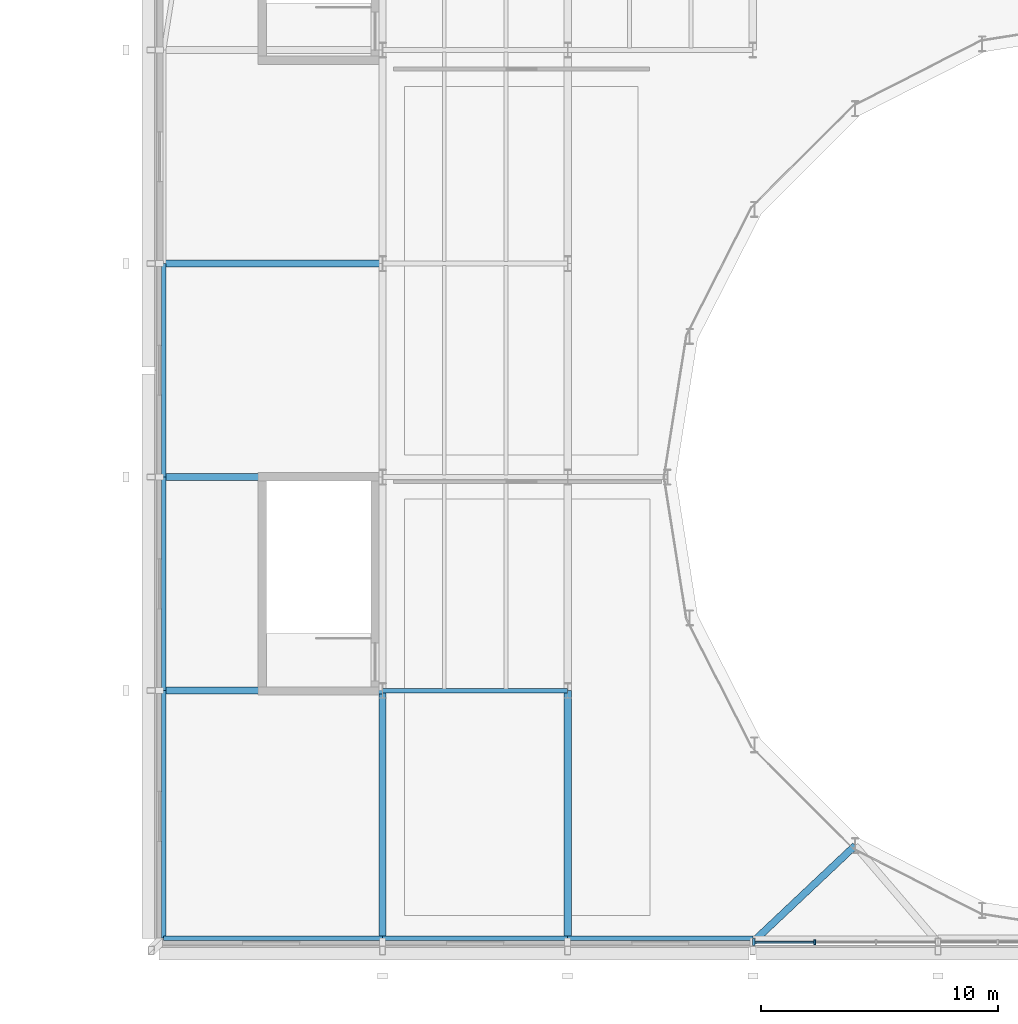
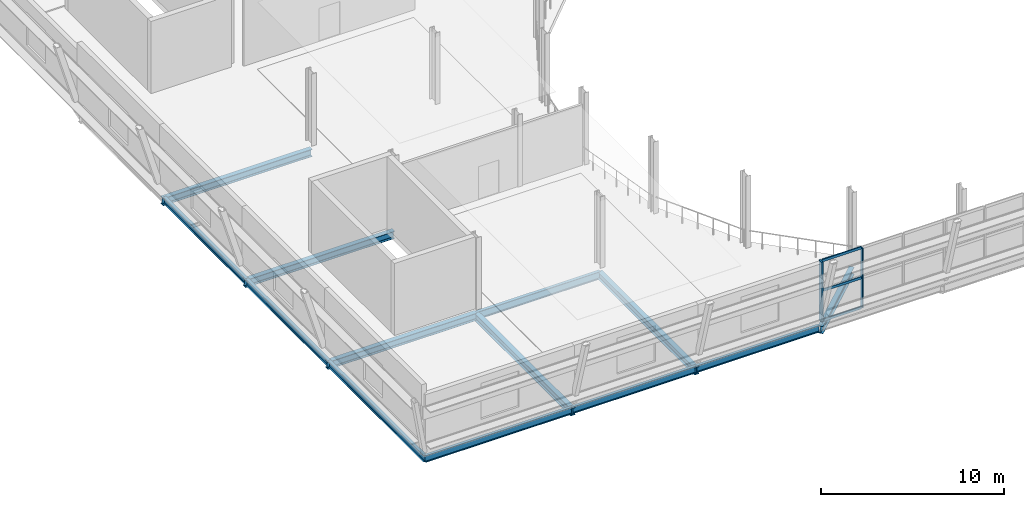
# One storey, part 15 of 63: 13 beams, 5 members, 1 element without a shape of its own.
"""IFC4 building model written with IfcOpenShell, lengths in metres."""

import ifcopenshell
import ifcopenshell.guid

model = None  # the IFC model being written
_history = None  # IfcOwnerHistory: only IFC2X3 demands one
_inside = {}  # id of a spatial element -> (the spatial element, [elements in it])
_under = {}  # id of a project, library or spatial element -> (it, [spatial elements below it])
_declared = {}  # id of a project -> (the project, [libraries it declares])
_typed = {}  # id of a type object -> (the type object, [elements of that type])
_made_of = {}  # id of a material, layer set ... -> (it, [elements and type objects made of it])


def new_model(schema):
    """Start an empty IFC model of exactly this schema.

    Asked for "IFC4X3", IfcOpenShell would pick the latest addendum, in which some entities
    have other attributes; the version numbers below select the first issue.
    IFC2X3 requires an IfcOwnerHistory on every rooted entity: one is made here for all.
    """
    global model, _history
    if schema == "IFC4X3":
        model = ifcopenshell.file(schema_version=(4, 3, 0, 0))
    else:
        model = ifcopenshell.file(schema=schema)
    _inside.clear()
    _under.clear()
    _declared.clear()
    _typed.clear()
    _made_of.clear()
    _history = None
    if model.schema == "IFC2X3":
        org = make("IfcOrganization", Name="unknown")
        user = make(
            "IfcPersonAndOrganization",
            ThePerson=make("IfcPerson", FamilyName="unknown"),
            TheOrganization=org,
        )
        app = make(
            "IfcApplication",
            ApplicationDeveloper=org,
            Version="unknown",
            ApplicationFullName="unknown",
            ApplicationIdentifier="unknown",
        )
        _history = make(
            "IfcOwnerHistory",
            OwningUser=user,
            OwningApplication=app,
            ChangeAction="ADDED",
            CreationDate=0,
        )
    return model


def make(cls, **values):
    """One entity of the class cls with the attributes given. An attribute that is None is left unset."""
    return model.create_entity(
        cls, **{name: value for name, value in values.items() if value is not None}
    )


def rooted(cls, **values):
    """An entity with a GlobalId (a new one), such as an element, a storey or a relation."""
    return make(cls, GlobalId=ifcopenshell.guid.new(), OwnerHistory=_history, **values)


def si_unit(unit_type, name, prefix=None):
    """IfcSIUnit, for example si_unit("LENGTHUNIT", "METRE", prefix="MILLI")."""
    return make("IfcSIUnit", UnitType=unit_type, Prefix=prefix, Name=name)


def assignment(units):
    """IfcUnitAssignment: the units of a project."""
    return None if units is None else make("IfcUnitAssignment", Units=units)


def point(xyz):
    """IfcCartesianPoint."""
    return None if xyz is None else make("IfcCartesianPoint", Coordinates=xyz)


def direction(xyz):
    """IfcDirection."""
    return None if xyz is None else make("IfcDirection", DirectionRatios=xyz)


def frame(location, z_axis=None, x_axis=None):
    """IfcAxis2Placement3D, a coordinate frame: its origin and axes. An axis left out is left unset."""
    return make(
        "IfcAxis2Placement3D",
        Location=point(location),
        Axis=direction(z_axis),
        RefDirection=direction(x_axis),
    )


def frame_2d(location, x_axis=None):
    """IfcAxis2Placement2D, a coordinate frame in the plane: its origin and x axis."""
    return make(
        "IfcAxis2Placement2D", Location=point(location), RefDirection=direction(x_axis)
    )


def origin():
    """The frame at (0, 0, 0) with its axes left unset."""
    return frame((0.0, 0.0, 0.0))


def origin_2d():
    """The frame at (0, 0) in the plane with its x axis left unset."""
    return frame_2d((0.0, 0.0))


def place(relative_to, where):
    """IfcLocalPlacement: puts the frame where relative to a parent placement (None: the world)."""
    return make(
        "IfcLocalPlacement", PlacementRelTo=relative_to, RelativePlacement=where
    )


def context(
    kind, dimensions, precision=None, world=None, true_north=None, identifier=None
):
    """IfcGeometricRepresentationContext, for example the 3D "Model" context."""
    return make(
        "IfcGeometricRepresentationContext",
        ContextIdentifier=identifier,
        ContextType=kind,
        CoordinateSpaceDimension=dimensions,
        Precision=precision,
        WorldCoordinateSystem=world,
        TrueNorth=true_north,
    )


def subcontext(parent, identifier, kind, view, scale=None):
    """IfcGeometricRepresentationSubContext, for example "Body" below "Model"."""
    return make(
        "IfcGeometricRepresentationSubContext",
        ContextIdentifier=identifier,
        ContextType=kind,
        ParentContext=parent,
        TargetScale=scale,
        TargetView=view,
    )


def project(units=None, contexts=None):
    """IfcProject with its units and contexts."""
    return rooted(
        "IfcProject",
        Name="project",
        RepresentationContexts=contexts,
        UnitsInContext=assignment(units),
    )


def spatial(cls, under=None, at=None, **own):
    """A site, building, storey or space (cls), placed at a placement, below another one or the project."""
    s = rooted(cls, ObjectPlacement=at, **own)
    if under is not None:
        _under.setdefault(under.id(), (under, []))[1].append(s)
    return s


def profile(cls, at=None, kind="AREA", **sizes):
    """A parametric profile (cls). Its sizes go by their IFC names, for example OverallWidth=200.0."""
    return make(cls, ProfileType=kind, Position=at, **sizes)


def rectangle(**sizes):
    """IfcRectangleProfileDef."""
    return profile("IfcRectangleProfileDef", **sizes)


def i_section(**sizes):
    """IfcIShapeProfileDef."""
    return profile("IfcIShapeProfileDef", **sizes)


def extrude(swept, where, along, depth):
    """IfcExtrudedAreaSolid: the profile swept, set in the frame where, extruded along a direction by depth."""
    return make(
        "IfcExtrudedAreaSolid",
        SweptArea=swept,
        Position=where,
        ExtrudedDirection=direction(along),
        Depth=depth,
    )


def shape(context_of_items, identifier, shape_type, items):
    """IfcShapeRepresentation: the items that make up one representation, for example the "Body"."""
    return make(
        "IfcShapeRepresentation",
        ContextOfItems=context_of_items,
        RepresentationIdentifier=identifier,
        RepresentationType=shape_type,
        Items=items,
    )


def material(Name=None, Category=None):
    """IfcMaterial."""
    return make("IfcMaterial", Name=Name, Category=Category)


def layer(
    of_material, thickness, ventilated=None, Name=None, Category=None, Priority=None
):
    """IfcMaterialLayer: one layer of a wall or slab, of a material (None: an air gap)."""
    return make(
        "IfcMaterialLayer",
        Material=of_material,
        LayerThickness=thickness,
        IsVentilated=ventilated,
        Name=Name,
        Category=Category,
        Priority=Priority,
    )


def layer_set(layers, Name=None):
    """IfcMaterialLayerSet."""
    return make("IfcMaterialLayerSet", MaterialLayers=layers, LayerSetName=Name)


def material_profile(
    of_material, cross_section, Name=None, Category=None, Priority=None
):
    """IfcMaterialProfile: a cross section and its material."""
    return make(
        "IfcMaterialProfile",
        Name=Name,
        Material=of_material,
        Profile=cross_section,
        Priority=Priority,
        Category=Category,
    )


def profile_set(profiles, Name=None, composite=None):
    """IfcMaterialProfileSet."""
    return make(
        "IfcMaterialProfileSet",
        Name=Name,
        MaterialProfiles=profiles,
        CompositeProfile=composite,
    )


def made_of(thing, what):
    """Note that an element or type object is made of a material, layer set ...; save() writes the relation."""
    if what is not None:
        _made_of.setdefault(what.id(), (what, []))[1].append(thing)
    return thing


def type_object(cls, material=None, **own):
    """A type object (cls), such as IfcWallType, which elements share."""
    return made_of(rooted(cls, **own), material)


def element(
    cls,
    number,
    at=None,
    inside=None,
    cuts=None,
    type_object=None,
    material=None,
    context=None,
    identifier="Body",
    shape_type=None,
    held_by="IfcProductDefinitionShape",
    body=None,
    shapes=None,
    **own,
):
    """One element of the class cls, such as IfcWall. Its Tag is "e" and its number.

    at: its placement. inside: the storey or other place that contains it. cuts: it is an
    opening in that element (IfcRelVoidsElement). A single representation is given by context,
    identifier, shape_type and body (its items); several are given by shapes. held_by: the class
    of the entity that holds the representations. save() writes the other relations.
    """
    e = rooted(cls, Tag="e%d" % number, ObjectPlacement=at, **own)
    if body is not None:
        shapes = [shape(context, identifier, shape_type, body)]
    if shapes is not None:
        e.Representation = make(held_by, Representations=shapes)
    if inside is not None:
        _inside.setdefault(inside.id(), (inside, []))[1].append(e)
    if cuts is not None:
        rooted(
            "IfcRelVoidsElement", RelatingBuildingElement=cuts, RelatedOpeningElement=e
        )
    if type_object is not None:
        _typed.setdefault(type_object.id(), (type_object, []))[1].append(e)
    return made_of(e, material)


def aggregate(whole, parts):
    """IfcRelAggregates: a whole, such as a stair, and the parts it consists of."""
    return rooted("IfcRelAggregates", RelatingObject=whole, RelatedObjects=parts)


def save(model, path):
    """Write the relations noted so far, then the file.

    IfcRelAggregates (storeys below a building ...), IfcRelContainedInSpatialStructure (elements
    in a storey), IfcRelDefinesByType, IfcRelAssociatesMaterial and IfcRelDeclares: one each for
    every whole, place, type object, material and project.
    """
    for whole, parts in _under.values():
        aggregate(whole, parts)
    for where, things in _inside.values():
        rooted(
            "IfcRelContainedInSpatialStructure",
            RelatedElements=things,
            RelatingStructure=where,
        )
    for kind, things in _typed.values():
        rooted("IfcRelDefinesByType", RelatedObjects=things, RelatingType=kind)
    for what, things in _made_of.values():
        rooted("IfcRelAssociatesMaterial", RelatedObjects=things, RelatingMaterial=what)
    for by, libraries in _declared.values():
        rooted("IfcRelDeclares", RelatingContext=by, RelatedDefinitions=libraries)
    model.write(path)


model = new_model("IFC4")

# Units and contexts
model_context = context("Model", 3, precision=1e-05, world=origin(), true_north=direction((0.0, 1.0)))
body_context = subcontext(model_context, "Body", "Model", "MODEL_VIEW")
ifc_project = project(units=[si_unit("LENGTHUNIT", "METRE"), si_unit("AREAUNIT", "SQUARE_METRE"), si_unit("VOLUMEUNIT", "CUBIC_METRE"), si_unit("PLANEANGLEUNIT", "RADIAN"), si_unit("MASSUNIT", "GRAM", prefix="KILO")], contexts=[model_context])

# Site, building, storey
site_placement = place(None, origin())
site = spatial("IfcSite", under=ifc_project, at=site_placement, CompositionType="ELEMENT")
building_placement = place(site_placement, origin())
building = spatial("IfcBuilding", under=site, at=building_placement, Name="Sefraquen Railside Congress Hotel", CompositionType="ELEMENT")
storey_placement = place(building_placement, frame((0.0, 0.0, 11.39990234375)))
storey = spatial("IfcBuildingStorey", under=building, at=storey_placement, Name="L02", CompositionType="ELEMENT", Elevation=11.39990234375)

# Beams
ifc_material_1 = material(Name="Steel S355JR", Category="steel")
ifc_material_profile_1 = material_profile(ifc_material_1, i_section(OverallWidth=0.18994140625, OverallDepth=0.449951171875, WebThickness=0.009521484375, FlangeThickness=0.0146484375, FilletRadius=0.02099609375, at=origin_2d()), Name="IPE 450")
ifc_profile_set_1 = profile_set([ifc_material_profile_1], Name="Steel S355JR")
beam_type_1 = type_object("IfcBeamType", Name="TB-BM-450", PredefinedType="BEAM", material=ifc_profile_set_1)
beam_1_placement = place(storey_placement, frame((23.770751953125, 7.57080078125, -0.574951171875), z_axis=(1.0, 0.0, 0.0), x_axis=(0.0, 1.0, 0.0)))
element("IfcBeam", 1, at=beam_1_placement, inside=storey, type_object=beam_type_1, Name="Congress leaning-hull south edge beam L02-01", PredefinedType="BEAM", context=body_context, shape_type="SweptSolid", body=[
    extrude(i_section(OverallWidth=0.18994140625, OverallDepth=0.449951171875, WebThickness=0.009521484375, FlangeThickness=0.0146484375, FilletRadius=0.02099609375, at=origin_2d()), origin(), (0.0, 0.0, 1.0), 9.229248046875),
])
for number, where, z_axis, x_axis, name in (
    (2, (33.0, 7.57080078125, -0.574951171875), (1.0, 0.0, 0.0), (0.0, 1.0, 0.0), "Congress leaning-hull south edge beam L02-02"),
    (3, (40.800048828125, 7.57080078125, -0.574951171875), (1.0, 0.0, 0.0), (0.0, 1.0, 0.0), "Congress leaning-hull south edge beam L02-03"),
):
    element("IfcBeam", number, at=place(storey_placement, frame(where, z_axis=z_axis, x_axis=x_axis)), inside=storey, type_object=beam_type_1, Name=name, PredefinedType="BEAM", context=body_context, shape_type="SweptSolid", body=[
        extrude(i_section(OverallWidth=0.18994140625, OverallDepth=0.449951171875, WebThickness=0.009521484375, FlangeThickness=0.0146484375, FilletRadius=0.02099609375, at=origin_2d()), origin(), (0.0, 0.0, 1.0), 7.800048828125),
    ])
beam_2_placement = place(storey_placement, frame((23.770751953125, 7.57080078125, -0.574951171875), z_axis=(0.0, 1.0, 0.0), x_axis=(-1.0, 0.0, 0.0)))
element("IfcBeam", 4, at=beam_2_placement, inside=storey, type_object=beam_type_1, Name="Congress leaning-hull west edge beam L02-01", PredefinedType="BEAM", context=body_context, shape_type="SweptSolid", body=[
    extrude(i_section(OverallWidth=0.18994140625, OverallDepth=0.449951171875, WebThickness=0.009521484375, FlangeThickness=0.0146484375, FilletRadius=0.02099609375, at=origin_2d()), origin(), (0.0, 0.0, 1.0), 10.42919921875),
])
for number, where, z_axis, x_axis, name in (
    (5, (23.770751953125, 18.0, -0.574951171875), (0.0, 1.0, 0.0), (-1.0, 0.0, 0.0), "Congress leaning-hull west edge beam L02-02"),
    (6, (23.770751953125, 27.0, -0.574951171875), (0.0, 1.0, 0.0), (-1.0, 0.0, 0.0), "Congress leaning-hull west edge beam L02-03"),
):
    element("IfcBeam", number, at=place(storey_placement, frame(where, z_axis=z_axis, x_axis=x_axis)), inside=storey, type_object=beam_type_1, Name=name, PredefinedType="BEAM", context=body_context, shape_type="SweptSolid", body=[
        extrude(i_section(OverallWidth=0.18994140625, OverallDepth=0.449951171875, WebThickness=0.009521484375, FlangeThickness=0.0146484375, FilletRadius=0.02099609375, at=origin_2d()), origin(), (0.0, 0.0, 1.0), 9.0),
    ])
ifc_material_profile_2 = material_profile(ifc_material_1, i_section(OverallWidth=0.199951171875, OverallDepth=0.5, WebThickness=0.01025390625, FlangeThickness=0.01611328125, FilletRadius=0.02099609375, at=origin_2d()), Name="IPE 500")
ifc_profile_set_2 = profile_set([ifc_material_profile_2], Name="Steel S355JR")
beam_type_2 = type_object("IfcBeamType", Name="TB-BM-500", PredefinedType="BEAM", material=ifc_profile_set_2)
beam_3_placement = place(storey_placement, frame((33.0, 18.0, -0.599853515625), z_axis=(1.0, 0.0, 0.0), x_axis=(0.0, 1.0, 0.0)))
element("IfcBeam", 7, at=beam_3_placement, inside=storey, type_object=beam_type_2, Name="Primary girder BM-L02-0681", PredefinedType="BEAM", context=body_context, shape_type="SweptSolid", body=[
    extrude(i_section(OverallWidth=0.199951171875, OverallDepth=0.5, WebThickness=0.01025390625, FlangeThickness=0.01611328125, FilletRadius=0.02099609375, at=origin_2d()), origin(), (0.0, 0.0, 1.0), 7.800048828125),
])
ifc_material_profile_3 = material_profile(ifc_material_1, i_section(OverallWidth=0.300048828125, OverallDepth=0.489990234375, WebThickness=0.011962890625, FlangeThickness=0.02294921875, FilletRadius=0.027099609375, at=origin_2d()), Name="HEA 500")
ifc_profile_set_3 = profile_set([ifc_material_profile_3], Name="Steel S355JR")
beam_type_3 = type_object("IfcBeamType", Name="TB-GIR-500", PredefinedType="T_BEAM", material=ifc_profile_set_3)
for number, where, z_axis, x_axis, name in (
    (8, (33.0, 7.400390625, -0.594970703125), (0.0, 1.0, 0.0), (-1.0, 0.0, 0.0), "Congress leaning-hull diaphragm tie girder S-5 L02"),
    (9, (40.800048828125, 7.400390625, -0.594970703125), (0.0, 1.0, 0.0), (-1.0, 0.0, 0.0), "Congress leaning-hull diaphragm tie girder S-6 L02"),
):
    element("IfcBeam", number, at=place(storey_placement, frame(where, z_axis=z_axis, x_axis=x_axis)), inside=storey, type_object=beam_type_3, Name=name, PredefinedType="T_BEAM", context=body_context, shape_type="SweptSolid", body=[
        extrude(i_section(OverallWidth=0.300048828125, OverallDepth=0.489990234375, WebThickness=0.011962890625, FlangeThickness=0.02294921875, FilletRadius=0.027099609375, at=origin_2d()), origin(), (0.0, 0.0, 1.0), 10.599609375),
    ])
beam_4_placement = place(storey_placement, frame((48.60009765625, 7.400390625, -0.594970703125), z_axis=(0.727716240893, 0.68587832211, 0.0), x_axis=(-0.68587832211, 0.727716240893, 0.0)))
element("IfcBeam", 10, at=beam_4_placement, inside=storey, type_object=beam_type_3, Name="Congress leaning-hull diaphragm tie girder S-7 L02", PredefinedType="T_BEAM", context=body_context, shape_type="SweptSolid", body=[
    extrude(i_section(OverallWidth=0.300048828125, OverallDepth=0.489990234375, WebThickness=0.011962890625, FlangeThickness=0.02294921875, FilletRadius=0.027099609375, at=origin_2d()), origin(), (0.0, 0.0, 1.0), 5.9287109375),
])
for number, where, z_axis, x_axis, name in (
    (11, (23.600341796875, 18.0, -0.594970703125), (1.0, 0.0, 0.0), (0.0, 1.0, 0.0), "Congress leaning-hull west tie girder W-C L02"),
    (12, (23.600341796875, 27.0, -0.594970703125), (1.0, 0.0, 0.0), (0.0, 1.0, 0.0), "Congress leaning-hull west tie girder W-D L02"),
    (13, (23.600341796875, 36.0, -0.594970703125), (1.0, 0.0, 0.0), (0.0, 1.0, 0.0), "Congress leaning-hull west tie girder W-E L02"),
):
    element("IfcBeam", number, at=place(storey_placement, frame(where, z_axis=z_axis, x_axis=x_axis)), inside=storey, type_object=beam_type_3, Name=name, PredefinedType="T_BEAM", context=body_context, shape_type="SweptSolid", body=[
        extrude(i_section(OverallWidth=0.300048828125, OverallDepth=0.489990234375, WebThickness=0.011962890625, FlangeThickness=0.02294921875, FilletRadius=0.027099609375, at=origin_2d()), origin(), (0.0, 0.0, 1.0), 9.399658203125),
    ])

# Curtain wall, members
ifc_material_2 = material(Name="Thermally broken anodised aluminium and low-E double glazing", Category="aluminium")
ifc_layer = layer(ifc_material_2, 0.199951171875)
ifc_layer_set = layer_set([ifc_layer], Name="Thermally broken anodised aluminium and low-E double glazing")
curtain_wall_type = type_object("IfcCurtainWallType", Name="TCW-UCW-20", PredefinedType="USERDEFINED", material=ifc_layer_set)
curtain_wall_placement = place(storey_placement, origin())
curtain_wall = element("IfcCurtainWall", 14, at=curtain_wall_placement, inside=storey, type_object=curtain_wall_type, Name="Congress leaning south curtain wall L02-4", ObjectType="UNITISED CURTAIN WALL", PredefinedType="USERDEFINED")
ifc_material_3 = material(Name="Thermally broken anodised aluminium 6063-T6", Category="aluminium")
ifc_material_profile_4 = material_profile(ifc_material_3, rectangle(XDim=0.070068359375, YDim=0.199951171875, at=origin_2d()), Name="CWM 70x200")
ifc_profile_set_4 = profile_set([ifc_material_profile_4], Name="Thermally broken anodised aluminium 6063-T6")
member_type_1 = type_object("IfcMemberType", Name="TM-CWM-03", PredefinedType="MULLION", material=ifc_profile_set_4)
member_1_placement = place(storey_placement, frame((51.21337890625, 7.400390625, 0.0), z_axis=(0.0, 0.0, 1.0), x_axis=(1.0, 0.0, 0.0)))
member_1 = element("IfcMember", 15, at=member_1_placement, type_object=member_type_1, Name="CW-L02-052 mullion 2", PredefinedType="MULLION", context=body_context, shape_type="SweptSolid", body=[
    extrude(rectangle(XDim=0.070068359375, YDim=0.199951171875, at=origin_2d()), origin(), (0.0, 0.0, 1.0), 3.989990234375),
])
ifc_material_profile_5 = material_profile(ifc_material_3, rectangle(XDim=0.094970703125, YDim=0.300048828125, at=origin_2d()), Name="CWM 95x300")
ifc_profile_set_5 = profile_set([ifc_material_profile_5], Name="Thermally broken anodised aluminium 6063-T6")
member_type_2 = type_object("IfcMemberType", Name="TM-CWM-08", PredefinedType="MULLION", material=ifc_profile_set_5)
member_2_placement = place(storey_placement, frame((48.639892578125, 7.400390625, 0.0), z_axis=(0.0, 0.0, 1.0), x_axis=(1.0, 0.0, 0.0)))
member_2 = element("IfcMember", 16, at=member_2_placement, type_object=member_type_2, Name="CW-L02-052 mullion 1", PredefinedType="MULLION", context=body_context, shape_type="SweptSolid", body=[
    extrude(rectangle(XDim=0.094970703125, YDim=0.300048828125, at=origin_2d()), origin(), (0.0, 0.0, 1.0), 3.989990234375),
])
ifc_material_profile_6 = material_profile(ifc_material_3, rectangle(XDim=0.074951171875, YDim=0.1650390625, at=origin_2d()), Name="CWT 75x165")
ifc_profile_set_6 = profile_set([ifc_material_profile_6], Name="Thermally broken anodised aluminium 6063-T6")
member_type_3 = type_object("IfcMemberType", Name="TM-CWT-04", PredefinedType="USERDEFINED", material=ifc_profile_set_6)
member_3_placement = place(storey_placement, frame((48.68505859375, 7.400390625, 0.0), z_axis=(1.0, 0.0, 0.0), x_axis=(0.0, 1.0, 0.0)))
member_3 = element("IfcMember", 17, at=member_3_placement, type_object=member_type_3, Name="CW-L02-052 transom 1.1", ObjectType="TRANSOM", PredefinedType="USERDEFINED", context=body_context, shape_type="SweptSolid", body=[
    extrude(rectangle(XDim=0.074951171875, YDim=0.1650390625, at=origin_2d()), origin(), (0.0, 0.0, 1.0), 2.483154296875),
])
member_4_placement = place(storey_placement, frame((48.68505859375, 7.400390625, 1.9951171875), z_axis=(1.0, 0.0, 0.0), x_axis=(0.0, 1.0, 0.0)))
member_4 = element("IfcMember", 18, at=member_4_placement, type_object=member_type_3, Name="CW-L02-052 transom 2.1", ObjectType="TRANSOM", PredefinedType="USERDEFINED", context=body_context, shape_type="SweptSolid", body=[
    extrude(rectangle(XDim=0.074951171875, YDim=0.1650390625, at=origin_2d()), origin(), (0.0, 0.0, 1.0), 2.483154296875),
])
member_5_placement = place(storey_placement, frame((48.68505859375, 7.400390625, 3.989990234375), z_axis=(1.0, 0.0, 0.0), x_axis=(0.0, 1.0, 0.0)))
member_5 = element("IfcMember", 19, at=member_5_placement, type_object=member_type_3, Name="CW-L02-052 transom 3.1", ObjectType="TRANSOM", PredefinedType="USERDEFINED", context=body_context, shape_type="SweptSolid", body=[
    extrude(rectangle(XDim=0.074951171875, YDim=0.1650390625, at=origin_2d()), origin(), (0.0, 0.0, 1.0), 2.483154296875),
])
aggregate(curtain_wall, [member_2, member_1, member_3, member_4, member_5])

save(model, "model.ifc")
